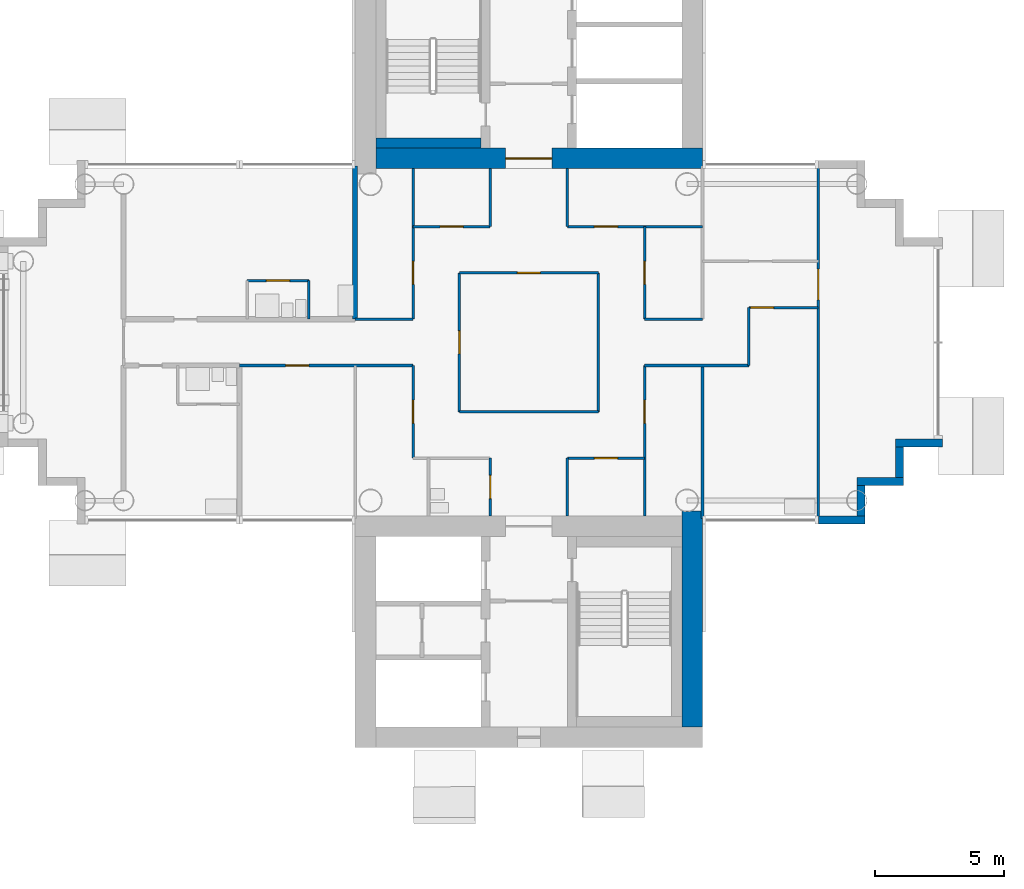
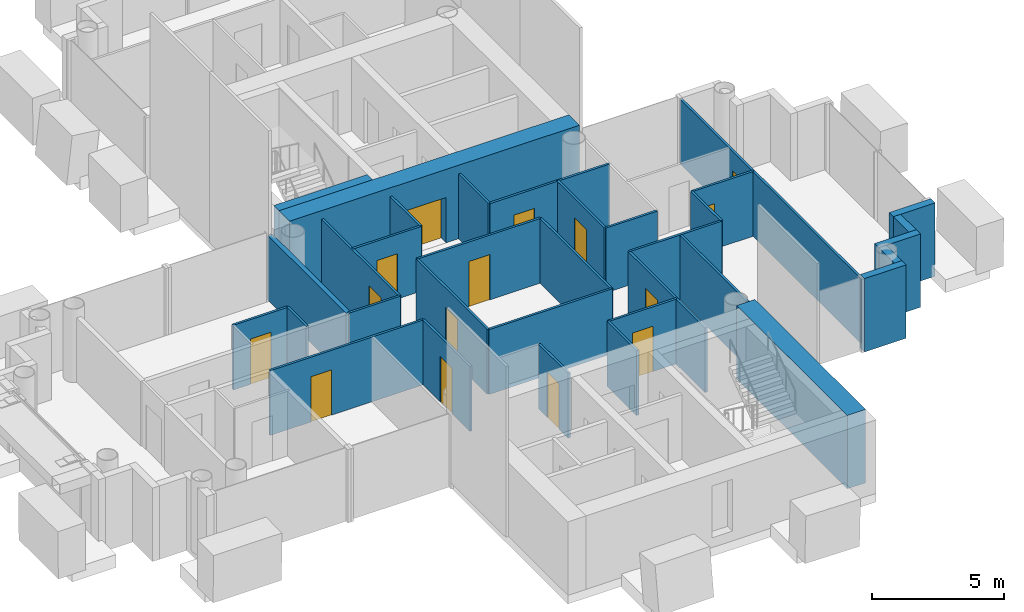
# One storey, part 10 of 18: 34 walls, 15 doors, 15 openings.
"""IFC4 building model written with IfcOpenShell, lengths in metres."""

from ifc_helpers import new_model, si_unit, direction, frame, frame_2d, origin, place, context, subcontext, project, spatial, rectangle, extrude, material, layer, layer_set, type_object, element, fill, save


model = new_model("IFC4")

# Units and contexts
model_context = context("Model", 3, precision=1e-05, world=origin(), true_north=direction((0.0, 1.0)))
body_context = subcontext(model_context, "Body", "Model", "MODEL_VIEW")
ifc_project = project(units=[si_unit("LENGTHUNIT", "METRE"), si_unit("AREAUNIT", "SQUARE_METRE"), si_unit("VOLUMEUNIT", "CUBIC_METRE"), si_unit("PLANEANGLEUNIT", "RADIAN"), si_unit("MASSUNIT", "GRAM", prefix="KILO")], contexts=[model_context])

# Site, building, storey
site_placement = place(None, origin())
site = spatial("IfcSite", under=ifc_project, at=site_placement, CompositionType="ELEMENT")
building_placement = place(site_placement, origin())
building = spatial("IfcBuilding", under=site, at=building_placement, Name="Ipe Terrace Towers", CompositionType="ELEMENT")
storey_placement = place(building_placement, frame((0.0, 0.0, 177.89990234375)))
storey = spatial("IfcBuildingStorey", under=building, at=storey_placement, Name="L49", CompositionType="ELEMENT", Elevation=177.89990234375)

# Walls
ifc_material_1 = material(Name="Concrete C40/50 with buff precast cladding", Category="concrete")
ifc_layer_1 = layer(ifc_material_1, 0.320068359375)
ifc_layer_set_1 = layer_set([ifc_layer_1], Name="BUFF CLADDING WALL 320")
wall_type_1 = type_object("IfcWallType", Name="BUFF CLADDING WALL 320", PredefinedType="STANDARD", material=ifc_layer_set_1)
wall_1_placement = place(storey_placement, frame((47.25, -6.909912109375, -0.2998046875), z_axis=(0.0, 0.0, 1.0), x_axis=(1.0, 0.0, 0.0)))
element("IfcWall", 1, at=wall_1_placement, inside=storey, type_object=wall_type_1, Name="T2-W-L49-03a wall", PredefinedType="STANDARD", context=body_context, shape_type="SweptSolid", body=[
    extrude(rectangle(XDim=1.820068359375, YDim=0.320068359375, at=frame_2d((0.91015625, 0.0))), origin(), (0.0, 0.0, 1.0), 3.39990234375),
])
wall_2_placement = place(storey_placement, frame((48.909912109375, -6.75, -0.2998046875), z_axis=(0.0, 0.0, 1.0), x_axis=(0.0, 1.0, 0.0)))
element("IfcWall", 2, at=wall_2_placement, inside=storey, type_object=wall_type_1, Name="T2-W-L49-04a wall", PredefinedType="STANDARD", context=body_context, shape_type="SweptSolid", body=[
    extrude(rectangle(XDim=1.179931640625, YDim=0.320068359375, at=frame_2d((0.58984375, 0.0))), origin(), (0.0, 0.0, 1.0), 3.39990234375),
])
wall_3_placement = place(storey_placement, frame((48.75, -5.409912109375, -0.2998046875), z_axis=(0.0, 0.0, 1.0), x_axis=(1.0, 0.0, 0.0)))
element("IfcWall", 3, at=wall_3_placement, inside=storey, type_object=wall_type_1, Name="T2-W-L49-05a wall", PredefinedType="STANDARD", context=body_context, shape_type="SweptSolid", body=[
    extrude(rectangle(XDim=1.820068359375, YDim=0.320068359375, at=frame_2d((0.91015625, 0.0))), origin(), (0.0, 0.0, 1.0), 3.39990234375),
])
wall_4_placement = place(storey_placement, frame((50.409912109375, -5.25, -0.2998046875), z_axis=(0.0, 0.0, 1.0), x_axis=(0.0, 1.0, 0.0)))
element("IfcWall", 4, at=wall_4_placement, inside=storey, type_object=wall_type_1, Name="T2-W-L49-06a wall", PredefinedType="STANDARD", context=body_context, shape_type="SweptSolid", body=[
    extrude(rectangle(XDim=1.179931640625, YDim=0.320068359375, at=frame_2d((0.58984375, 0.0))), origin(), (0.0, 0.0, 1.0), 3.39990234375),
])
wall_5_placement = place(storey_placement, frame((50.25, -3.909912109375, -0.2998046875), z_axis=(0.0, 0.0, 1.0), x_axis=(1.0, 0.0, 0.0)))
element("IfcWall", 5, at=wall_5_placement, inside=storey, type_object=wall_type_1, Name="T2-W-L49-07a wall", PredefinedType="STANDARD", context=body_context, shape_type="SweptSolid", body=[
    extrude(rectangle(XDim=1.820068359375, YDim=0.320068359375, at=frame_2d((0.91015625, 0.0))), origin(), (0.0, 0.0, 1.0), 3.39990234375),
])

# Wall, opening, door
ifc_material_2 = material(Name="Gypsum board partition", Category="plasterboard")
ifc_layer_2 = layer(ifc_material_2, 0.10009765625)
ifc_layer_set_2 = layer_set([ifc_layer_2], Name="Gypsum board partition 100 mm")
wall_type_2 = type_object("IfcWallType", Name="Gypsum board partition 100 mm", PredefinedType="PARTITIONING", material=ifc_layer_set_2)
wall_6_placement = place(storey_placement, frame((40.5, -4.5, 0.0), z_axis=(0.0, 0.0, 1.0), x_axis=(-1.0, 0.0, 0.0)))
wall_6 = element("IfcWall", 6, at=wall_6_placement, inside=storey, type_object=wall_type_2, Name="Gypsum board partition T2 L49 W01", PredefinedType="PARTITIONING", context=body_context, shape_type="SweptSolid", body=[
    extrude(rectangle(XDim=3.0, YDim=0.10009765625, at=frame_2d((1.5, 0.0))), origin(), (0.0, 0.0, 1.0), 3.0),
])
opening_1_placement = place(wall_6_placement, frame((1.050048828125, 0.0, 0.0)))
opening_1 = element("IfcOpeningElement", 7, at=opening_1_placement, cuts=wall_6, Name="Opening T2-Z3E-08", PredefinedType="OPENING", context=body_context, shape_type="SweptSolid", body=[
    extrude(rectangle(XDim=0.89990234375, YDim=2.10009765625, at=frame_2d((0.449951171875, 1.050048828125))), frame((0.0, 0.06005859375, 0.0), z_axis=(0.0, -1.0, 0.0), x_axis=(1.0, 0.0, 0.0)), (0.0, 0.0, 1.0), 0.1201171875),
])
ifc_material_3 = material(Name="Timber door leaf", Category="wood")
door_type_1 = type_object("IfcDoorType", Name="Lounge door 900 x 2100", OperationType="NOTDEFINED", PredefinedType="DOOR", material=ifc_material_3)
door_1_placement = place(opening_1_placement, origin())
door_1 = element("IfcDoor", 8, at=door_1_placement, inside=storey, type_object=door_type_1, Name="Lounge door T2-Z3E-08", OperationType="SINGLE_SWING_LEFT", OverallHeight=2.10009765625, OverallWidth=0.89990234375, PredefinedType="DOOR", context=body_context, shape_type="SweptSolid", body=[
    extrude(rectangle(XDim=0.89990234375, YDim=2.10009765625, at=frame_2d((0.449951171875, 1.050048828125))), frame((0.0, 0.02490234375, 0.0), z_axis=(0.0, -1.0, 0.0), x_axis=(1.0, 0.0, 0.0)), (0.0, 0.0, 1.0), 0.050048828125),
])
fill(opening_1, door_1)

# Walls
wall_7_placement = place(storey_placement, frame((38.699951171875, -2.699951171875, 0.0), z_axis=(0.0, 0.0, 1.0), x_axis=(-1.0, 0.0, 0.0)))
element("IfcWall", 9, at=wall_7_placement, inside=storey, type_object=wall_type_2, Name="Gypsum board partition T2 L49 W03", PredefinedType="PARTITIONING", context=body_context, shape_type="SweptSolid", body=[
    extrude(rectangle(XDim=5.39990234375, YDim=0.10009765625, at=frame_2d((2.699951171875, 0.0))), origin(), (0.0, 0.0, 1.0), 3.0),
])
wall_8_placement = place(storey_placement, frame((44.550048828125, -0.89990234375, 0.0), z_axis=(0.0, 0.0, 1.0), x_axis=(-1.0, 0.0, 0.0)))
element("IfcWall", 10, at=wall_8_placement, inside=storey, type_object=wall_type_2, Name="Gypsum board partition T2 L49 W05", PredefinedType="PARTITIONING", context=body_context, shape_type="SweptSolid", body=[
    extrude(rectangle(XDim=4.050048828125, YDim=0.10009765625, at=frame_2d((2.02490234375, 0.0))), origin(), (0.0, 0.0, 1.0), 3.0),
])

# Wall, opening, door
wall_9_placement = place(storey_placement, frame((31.5, -0.89990234375, 0.0), z_axis=(0.0, 0.0, 1.0), x_axis=(-1.0, 0.0, 0.0)))
wall_9 = element("IfcWall", 11, at=wall_9_placement, inside=storey, type_object=wall_type_2, Name="Gypsum board partition T2 L49 W06", PredefinedType="PARTITIONING", context=body_context, shape_type="SweptSolid", body=[
    extrude(rectangle(XDim=6.75, YDim=0.10009765625, at=frame_2d((3.375, 0.0))), origin(), (0.0, 0.0, 1.0), 3.0),
])
opening_2_placement = place(wall_9_placement, frame((4.050048828125, 0.0, 0.0)))
opening_2 = element("IfcOpeningElement", 12, at=opening_2_placement, cuts=wall_9, Name="Opening T2-Z3E-11", PredefinedType="OPENING", context=body_context, shape_type="SweptSolid", body=[
    extrude(rectangle(XDim=0.89990234375, YDim=2.10009765625, at=frame_2d((0.449951171875, 1.050048828125))), frame((0.0, 0.06005859375, 0.0), z_axis=(0.0, -1.0, 0.0), x_axis=(1.0, 0.0, 0.0)), (0.0, 0.0, 1.0), 0.1201171875),
])
door_2_placement = place(opening_2_placement, origin())
door_2 = element("IfcDoor", 13, at=door_2_placement, inside=storey, type_object=door_type_1, Name="Lounge door T2-Z3E-11", OperationType="SINGLE_SWING_LEFT", OverallHeight=2.10009765625, OverallWidth=0.89990234375, PredefinedType="DOOR", context=body_context, shape_type="SweptSolid", body=[
    extrude(rectangle(XDim=0.89990234375, YDim=2.10009765625, at=frame_2d((0.449951171875, 1.050048828125))), frame((0.0, 0.02490234375, 0.0), z_axis=(0.0, -1.0, 0.0), x_axis=(1.0, 0.0, 0.0)), (0.0, 0.0, 1.0), 0.050048828125),
])
fill(opening_2, door_2)

# Walls
for number, where, z_axis, x_axis, name in (
    (14, (42.75, 0.89990234375, 0.0), (0.0, 0.0, 1.0), (-1.0, 0.0, 0.0), "Gypsum board partition T2 L49 W08"),
    (15, (31.5, 0.89990234375, 0.0), (0.0, 0.0, 1.0), (-1.0, 0.0, 0.0), "Gypsum board partition T2 L49 W09"),
):
    element("IfcWall", number, at=place(storey_placement, frame(where, z_axis=z_axis, x_axis=x_axis)), inside=storey, type_object=wall_type_2, Name=name, PredefinedType="PARTITIONING", context=body_context, shape_type="SweptSolid", body=[
        extrude(rectangle(XDim=2.25, YDim=0.10009765625, at=frame_2d((1.125, 0.0))), origin(), (0.0, 0.0, 1.0), 3.0),
    ])

# Wall, opening, door
wall_10_placement = place(storey_placement, frame((47.25, 1.35009765625, 0.0), z_axis=(0.0, 0.0, 1.0), x_axis=(-1.0, 0.0, 0.0)))
wall_10 = element("IfcWall", 16, at=wall_10_placement, inside=storey, type_object=wall_type_2, Name="Gypsum board partition T2 L49 W11", PredefinedType="PARTITIONING", context=body_context, shape_type="SweptSolid", body=[
    extrude(rectangle(XDim=2.699951171875, YDim=0.10009765625, at=frame_2d((1.35009765625, 0.0))), origin(), (0.0, 0.0, 1.0), 3.0),
])
opening_3_placement = place(wall_10_placement, frame((1.72998046875, 0.0, 0.0)))
opening_3 = element("IfcOpeningElement", 17, at=opening_3_placement, cuts=wall_10, Name="Opening T2-Z3E-18", PredefinedType="OPENING", context=body_context, shape_type="SweptSolid", body=[
    extrude(rectangle(XDim=0.89990234375, YDim=2.10009765625, at=frame_2d((0.449951171875, 1.050048828125))), frame((0.0, 0.06005859375, 0.0), z_axis=(0.0, -1.0, 0.0), x_axis=(1.0, 0.0, 0.0)), (0.0, 0.0, 1.0), 0.1201171875),
])
door_3_placement = place(opening_3_placement, origin())
door_3 = element("IfcDoor", 18, at=door_3_placement, inside=storey, type_object=door_type_1, Name="Lounge door T2-Z3E-18", OperationType="SINGLE_SWING_LEFT", OverallHeight=2.10009765625, OverallWidth=0.89990234375, PredefinedType="DOOR", context=body_context, shape_type="SweptSolid", body=[
    extrude(rectangle(XDim=0.89990234375, YDim=2.10009765625, at=frame_2d((0.449951171875, 1.050048828125))), frame((0.0, 0.02490234375, 0.0), z_axis=(0.0, -1.0, 0.0), x_axis=(1.0, 0.0, 0.0)), (0.0, 0.0, 1.0), 0.050048828125),
])
fill(opening_3, door_3)

wall_11_placement = place(storey_placement, frame((27.449951171875, 2.39990234375, 0.0), z_axis=(0.0, 0.0, 1.0), x_axis=(-1.0, 0.0, 0.0)))
wall_11 = element("IfcWall", 19, at=wall_11_placement, inside=storey, type_object=wall_type_2, Name="Gypsum board partition T2 L49 W12", PredefinedType="PARTITIONING", context=body_context, shape_type="SweptSolid", body=[
    extrude(rectangle(XDim=2.39990234375, YDim=0.10009765625, at=frame_2d((1.199951171875, 0.0))), origin(), (0.0, 0.0, 1.0), 3.0),
])
opening_4_placement = place(wall_11_placement, frame((0.75, 0.0, 0.0)))
opening_4 = element("IfcOpeningElement", 20, at=opening_4_placement, cuts=wall_11, Name="Opening T2-Z3E-15", PredefinedType="OPENING", context=body_context, shape_type="SweptSolid", body=[
    extrude(rectangle(XDim=0.89990234375, YDim=2.10009765625, at=frame_2d((0.449951171875, 1.050048828125))), frame((0.0, 0.06005859375, 0.0), z_axis=(0.0, -1.0, 0.0), x_axis=(1.0, 0.0, 0.0)), (0.0, 0.0, 1.0), 0.1201171875),
])
ifc_material_4 = material(Name="Timber door leaf", Category="wood")
door_type_2 = type_object("IfcDoorType", Name="Bathroom door 900 x 2100", OperationType="NOTDEFINED", PredefinedType="DOOR", material=ifc_material_4)
door_4_placement = place(opening_4_placement, origin())
door_4 = element("IfcDoor", 21, at=door_4_placement, inside=storey, type_object=door_type_2, Name="Bathroom door T2-Z3E-15", OperationType="SINGLE_SWING_LEFT", OverallHeight=2.10009765625, OverallWidth=0.89990234375, PredefinedType="DOOR", context=body_context, shape_type="SweptSolid", body=[
    extrude(rectangle(XDim=0.89990234375, YDim=2.10009765625, at=frame_2d((0.449951171875, 1.050048828125))), frame((0.0, 0.02490234375, 0.0), z_axis=(0.0, -1.0, 0.0), x_axis=(1.0, 0.0, 0.0)), (0.0, 0.0, 1.0), 0.050048828125),
])
fill(opening_4, door_4)

wall_12_placement = place(storey_placement, frame((38.699951171875, 2.699951171875, 0.0), z_axis=(0.0, 0.0, 1.0), x_axis=(-1.0, 0.0, 0.0)))
wall_12 = element("IfcWall", 22, at=wall_12_placement, inside=storey, type_object=wall_type_2, Name="Gypsum board partition T2 L49 W13", PredefinedType="PARTITIONING", context=body_context, shape_type="SweptSolid", body=[
    extrude(rectangle(XDim=5.39990234375, YDim=0.10009765625, at=frame_2d((2.699951171875, 0.0))), origin(), (0.0, 0.0, 1.0), 3.0),
])
opening_5_placement = place(wall_12_placement, frame((2.25, 0.0, 0.0)))
opening_5 = element("IfcOpeningElement", 23, at=opening_5_placement, cuts=wall_12, Name="Opening T2-Z3E-02", PredefinedType="OPENING", context=body_context, shape_type="SweptSolid", body=[
    extrude(rectangle(XDim=0.89990234375, YDim=2.10009765625, at=frame_2d((0.449951171875, 1.050048828125))), frame((0.0, 0.06005859375, 0.0), z_axis=(0.0, -1.0, 0.0), x_axis=(1.0, 0.0, 0.0)), (0.0, 0.0, 1.0), 0.1201171875),
])
door_5_placement = place(opening_5_placement, origin())
door_5 = element("IfcDoor", 24, at=door_5_placement, inside=storey, type_object=door_type_1, Name="Lounge door T2-Z3E-02", OperationType="SINGLE_SWING_LEFT", OverallHeight=2.10009765625, OverallWidth=0.89990234375, PredefinedType="DOOR", context=body_context, shape_type="SweptSolid", body=[
    extrude(rectangle(XDim=0.89990234375, YDim=2.10009765625, at=frame_2d((0.449951171875, 1.050048828125))), frame((0.0, 0.02490234375, 0.0), z_axis=(0.0, -1.0, 0.0), x_axis=(1.0, 0.0, 0.0)), (0.0, 0.0, 1.0), 0.050048828125),
])
fill(opening_5, door_5)

wall_13_placement = place(storey_placement, frame((42.75, 4.5, 0.0), z_axis=(0.0, 0.0, 1.0), x_axis=(-1.0, 0.0, 0.0)))
wall_13 = element("IfcWall", 25, at=wall_13_placement, inside=storey, type_object=wall_type_2, Name="Gypsum board partition T2 L49 W15", PredefinedType="PARTITIONING", context=body_context, shape_type="SweptSolid", body=[
    extrude(rectangle(XDim=5.25, YDim=0.10009765625, at=frame_2d((2.625, 0.0))), origin(), (0.0, 0.0, 1.0), 3.0),
])
opening_6_placement = place(wall_13_placement, frame((3.300048828125, 0.0, 0.0)))
opening_6 = element("IfcOpeningElement", 26, at=opening_6_placement, cuts=wall_13, Name="Opening T2-Z3E-10", PredefinedType="OPENING", context=body_context, shape_type="SweptSolid", body=[
    extrude(rectangle(XDim=0.89990234375, YDim=2.10009765625, at=frame_2d((0.449951171875, 1.050048828125))), frame((0.0, 0.06005859375, 0.0), z_axis=(0.0, -1.0, 0.0), x_axis=(1.0, 0.0, 0.0)), (0.0, 0.0, 1.0), 0.1201171875),
])
door_6_placement = place(opening_6_placement, origin())
door_6 = element("IfcDoor", 27, at=door_6_placement, inside=storey, type_object=door_type_1, Name="Lounge door T2-Z3E-10", OperationType="SINGLE_SWING_RIGHT", OverallHeight=2.10009765625, OverallWidth=0.89990234375, PredefinedType="DOOR", context=body_context, shape_type="SweptSolid", body=[
    extrude(rectangle(XDim=0.89990234375, YDim=2.10009765625, at=frame_2d((0.449951171875, 1.050048828125))), frame((0.0, 0.02490234375, 0.0), z_axis=(0.0, -1.0, 0.0), x_axis=(1.0, 0.0, 0.0)), (0.0, 0.0, 1.0), 0.050048828125),
])
fill(opening_6, door_6)

wall_14_placement = place(storey_placement, frame((34.5, 4.5, 0.0), z_axis=(0.0, 0.0, 1.0), x_axis=(-1.0, 0.0, 0.0)))
wall_14 = element("IfcWall", 28, at=wall_14_placement, inside=storey, type_object=wall_type_2, Name="Gypsum board partition T2 L49 W16", PredefinedType="PARTITIONING", context=body_context, shape_type="SweptSolid", body=[
    extrude(rectangle(XDim=3.0, YDim=0.10009765625, at=frame_2d((1.5, 0.0))), origin(), (0.0, 0.0, 1.0), 3.0),
])
opening_7_placement = place(wall_14_placement, frame((1.050048828125, 0.0, 0.0)))
opening_7 = element("IfcOpeningElement", 29, at=opening_7_placement, cuts=wall_14, Name="Opening T2-Z3E-05", PredefinedType="OPENING", context=body_context, shape_type="SweptSolid", body=[
    extrude(rectangle(XDim=0.89990234375, YDim=2.10009765625, at=frame_2d((0.449951171875, 1.050048828125))), frame((0.0, 0.06005859375, 0.0), z_axis=(0.0, -1.0, 0.0), x_axis=(1.0, 0.0, 0.0)), (0.0, 0.0, 1.0), 0.1201171875),
])
door_7_placement = place(opening_7_placement, origin())
door_7 = element("IfcDoor", 30, at=door_7_placement, inside=storey, type_object=door_type_1, Name="Lounge door T2-Z3E-05", OperationType="SINGLE_SWING_RIGHT", OverallHeight=2.10009765625, OverallWidth=0.89990234375, PredefinedType="DOOR", context=body_context, shape_type="SweptSolid", body=[
    extrude(rectangle(XDim=0.89990234375, YDim=2.10009765625, at=frame_2d((0.449951171875, 1.050048828125))), frame((0.0, 0.02490234375, 0.0), z_axis=(0.0, -1.0, 0.0), x_axis=(1.0, 0.0, 0.0)), (0.0, 0.0, 1.0), 0.050048828125),
])
fill(opening_7, door_7)

wall_15_placement = place(storey_placement, frame((47.25, -6.85009765625, 0.0), z_axis=(0.0, 0.0, 1.0), x_axis=(0.0, 1.0, 0.0)))
wall_15 = element("IfcWall", 31, at=wall_15_placement, inside=storey, type_object=wall_type_2, Name="Gypsum board partition T2 L49 W20", PredefinedType="PARTITIONING", context=body_context, shape_type="SweptSolid", body=[
    extrude(rectangle(XDim=13.7001953125, YDim=0.10009765625, at=frame_2d((6.85009765625, 0.0))), origin(), (0.0, 0.0, 1.0), 3.0),
])
opening_8_placement = place(wall_15_placement, frame((8.5, 0.0, 0.0)))
opening_8 = element("IfcOpeningElement", 32, at=opening_8_placement, cuts=wall_15, Name="Opening T2-Z3E-19", PredefinedType="OPENING", context=body_context, shape_type="SweptSolid", body=[
    extrude(rectangle(XDim=1.199951171875, YDim=2.10009765625, at=frame_2d((0.60009765625, 1.050048828125))), frame((0.0, 0.06005859375, 0.0), z_axis=(0.0, -1.0, 0.0), x_axis=(1.0, 0.0, 0.0)), (0.0, 0.0, 1.0), 0.1201171875),
])
ifc_material_5 = material(Name="Timber door leaf", Category="wood")
door_type_3 = type_object("IfcDoorType", Name="Lounge door 1200 x 2100", OperationType="NOTDEFINED", PredefinedType="DOOR", material=ifc_material_5)
door_8_placement = place(opening_8_placement, origin())
door_8 = element("IfcDoor", 33, at=door_8_placement, inside=storey, type_object=door_type_3, Name="Lounge door T2-Z3E-19", OperationType="SINGLE_SWING_RIGHT", OverallHeight=2.10009765625, OverallWidth=1.199951171875, PredefinedType="DOOR", context=body_context, shape_type="SweptSolid", body=[
    extrude(rectangle(XDim=1.199951171875, YDim=2.10009765625, at=frame_2d((0.60009765625, 1.050048828125))), frame((0.0, 0.02490234375, 0.0), z_axis=(0.0, -1.0, 0.0), x_axis=(1.0, 0.0, 0.0)), (0.0, 0.0, 1.0), 0.050048828125),
])
fill(opening_8, door_8)

# Walls
wall_16_placement = place(storey_placement, frame((44.550048828125, -0.89990234375, 0.0), z_axis=(0.0, 0.0, 1.0), x_axis=(0.0, 1.0, 0.0)))
element("IfcWall", 34, at=wall_16_placement, inside=storey, type_object=wall_type_2, Name="Gypsum board partition T2 L49 W21", PredefinedType="PARTITIONING", context=body_context, shape_type="SweptSolid", body=[
    extrude(rectangle(XDim=2.25, YDim=0.10009765625, at=frame_2d((1.125, 0.0))), origin(), (0.0, 0.0, 1.0), 3.0),
])
wall_17_placement = place(storey_placement, frame((42.75, -6.85009765625, 0.0), z_axis=(0.0, 0.0, 1.0), x_axis=(0.0, 1.0, 0.0)))
element("IfcWall", 35, at=wall_17_placement, inside=storey, type_object=wall_type_2, Name="Gypsum board partition T2 L49 W22", PredefinedType="PARTITIONING", context=body_context, shape_type="SweptSolid", body=[
    extrude(rectangle(XDim=5.9501953125, YDim=0.10009765625, at=frame_2d((2.97509765625, 0.0))), origin(), (0.0, 0.0, 1.0), 3.0),
])

# Wall, opening, door
wall_18_placement = place(storey_placement, frame((40.5, -6.75, 0.0), z_axis=(0.0, 0.0, 1.0), x_axis=(0.0, 1.0, 0.0)))
wall_18 = element("IfcWall", 36, at=wall_18_placement, inside=storey, type_object=wall_type_2, Name="Gypsum board partition T2 L49 W24", PredefinedType="PARTITIONING", context=body_context, shape_type="SweptSolid", body=[
    extrude(rectangle(XDim=5.85009765625, YDim=0.10009765625, at=frame_2d((2.925048828125, 0.0))), origin(), (0.0, 0.0, 1.0), 3.0),
])
opening_9_placement = place(wall_18_placement, frame((3.60009765625, 0.0, 0.0)))
opening_9 = element("IfcOpeningElement", 37, at=opening_9_placement, cuts=wall_18, Name="Opening T2-Z3E-07", PredefinedType="OPENING", context=body_context, shape_type="SweptSolid", body=[
    extrude(rectangle(XDim=0.89990234375, YDim=2.10009765625, at=frame_2d((0.449951171875, 1.050048828125))), frame((0.0, 0.06005859375, 0.0), z_axis=(0.0, -1.0, 0.0), x_axis=(1.0, 0.0, 0.0)), (0.0, 0.0, 1.0), 0.1201171875),
])
door_9_placement = place(opening_9_placement, origin())
door_9 = element("IfcDoor", 38, at=door_9_placement, inside=storey, type_object=door_type_1, Name="Lounge door T2-Z3E-07", OperationType="SINGLE_SWING_RIGHT", OverallHeight=2.10009765625, OverallWidth=0.89990234375, PredefinedType="DOOR", context=body_context, shape_type="SweptSolid", body=[
    extrude(rectangle(XDim=0.89990234375, YDim=2.10009765625, at=frame_2d((0.449951171875, 1.050048828125))), frame((0.0, 0.02490234375, 0.0), z_axis=(0.0, -1.0, 0.0), x_axis=(1.0, 0.0, 0.0)), (0.0, 0.0, 1.0), 0.050048828125),
])
fill(opening_9, door_9)

wall_19_placement = place(storey_placement, frame((40.5, 0.89990234375, 0.0), z_axis=(0.0, 0.0, 1.0), x_axis=(0.0, 1.0, 0.0)))
wall_19 = element("IfcWall", 39, at=wall_19_placement, inside=storey, type_object=wall_type_2, Name="Gypsum board partition T2 L49 W25", PredefinedType="PARTITIONING", context=body_context, shape_type="SweptSolid", body=[
    extrude(rectangle(XDim=3.60009765625, YDim=0.10009765625, at=frame_2d((1.800048828125, 0.0))), origin(), (0.0, 0.0, 1.0), 3.0),
])
opening_10_placement = place(wall_19_placement, frame((1.35009765625, 0.0, 0.0)))
opening_10 = element("IfcOpeningElement", 40, at=opening_10_placement, cuts=wall_19, Name="Opening T2-Z3E-09", PredefinedType="OPENING", context=body_context, shape_type="SweptSolid", body=[
    extrude(rectangle(XDim=0.89990234375, YDim=2.10009765625, at=frame_2d((0.449951171875, 1.050048828125))), frame((0.0, 0.06005859375, 0.0), z_axis=(0.0, -1.0, 0.0), x_axis=(1.0, 0.0, 0.0)), (0.0, 0.0, 1.0), 0.1201171875),
])
door_10_placement = place(opening_10_placement, origin())
door_10 = element("IfcDoor", 41, at=door_10_placement, inside=storey, type_object=door_type_1, Name="Lounge door T2-Z3E-09", OperationType="SINGLE_SWING_RIGHT", OverallHeight=2.10009765625, OverallWidth=0.89990234375, PredefinedType="DOOR", context=body_context, shape_type="SweptSolid", body=[
    extrude(rectangle(XDim=0.89990234375, YDim=2.10009765625, at=frame_2d((0.449951171875, 1.050048828125))), frame((0.0, 0.02490234375, 0.0), z_axis=(0.0, -1.0, 0.0), x_axis=(1.0, 0.0, 0.0)), (0.0, 0.0, 1.0), 0.050048828125),
])
fill(opening_10, door_10)

# Walls
wall_20_placement = place(storey_placement, frame((38.699951171875, -2.699951171875, 0.0), z_axis=(0.0, 0.0, 1.0), x_axis=(0.0, 1.0, 0.0)))
element("IfcWall", 42, at=wall_20_placement, inside=storey, type_object=wall_type_2, Name="Gypsum board partition T2 L49 W27", PredefinedType="PARTITIONING", context=body_context, shape_type="SweptSolid", body=[
    extrude(rectangle(XDim=5.39990234375, YDim=0.10009765625, at=frame_2d((2.699951171875, 0.0))), origin(), (0.0, 0.0, 1.0), 3.0),
])
for number, where, z_axis, x_axis, name in (
    (43, (37.5, -6.75, 0.0), (0.0, 0.0, 1.0), (0.0, 1.0, 0.0), "Gypsum board partition T2 L49 W28"),
    (44, (37.5, 4.5, 0.0), (0.0, 0.0, 1.0), (0.0, 1.0, 0.0), "Gypsum board partition T2 L49 W29"),
):
    element("IfcWall", number, at=place(storey_placement, frame(where, z_axis=z_axis, x_axis=x_axis)), inside=storey, type_object=wall_type_2, Name=name, PredefinedType="PARTITIONING", context=body_context, shape_type="SweptSolid", body=[
        extrude(rectangle(XDim=2.25, YDim=0.10009765625, at=frame_2d((1.125, 0.0))), origin(), (0.0, 0.0, 1.0), 3.0),
    ])

# Wall, opening, door
wall_21_placement = place(storey_placement, frame((34.5, -6.75, 0.0), z_axis=(0.0, 0.0, 1.0), x_axis=(0.0, 1.0, 0.0)))
wall_21 = element("IfcWall", 45, at=wall_21_placement, inside=storey, type_object=wall_type_2, Name="Gypsum board partition T2 L49 W31", PredefinedType="PARTITIONING", context=body_context, shape_type="SweptSolid", body=[
    extrude(rectangle(XDim=2.25, YDim=0.10009765625, at=frame_2d((1.125, 0.0))), origin(), (0.0, 0.0, 1.0), 3.0),
])
opening_11_placement = place(wall_21_placement, frame((0.675048828125, 0.0, 0.0)))
opening_11 = element("IfcOpeningElement", 46, at=opening_11_placement, cuts=wall_21, Name="Opening T2-Z3E-03", PredefinedType="OPENING", context=body_context, shape_type="SweptSolid", body=[
    extrude(rectangle(XDim=0.89990234375, YDim=2.10009765625, at=frame_2d((0.449951171875, 1.050048828125))), frame((0.0, 0.06005859375, 0.0), z_axis=(0.0, -1.0, 0.0), x_axis=(1.0, 0.0, 0.0)), (0.0, 0.0, 1.0), 0.1201171875),
])
door_11_placement = place(opening_11_placement, origin())
door_11 = element("IfcDoor", 47, at=door_11_placement, inside=storey, type_object=door_type_2, Name="Bathroom door T2-Z3E-03", OperationType="SINGLE_SWING_LEFT", OverallHeight=2.10009765625, OverallWidth=0.89990234375, PredefinedType="DOOR", context=body_context, shape_type="SweptSolid", body=[
    extrude(rectangle(XDim=0.89990234375, YDim=2.10009765625, at=frame_2d((0.449951171875, 1.050048828125))), frame((0.0, 0.02490234375, 0.0), z_axis=(0.0, -1.0, 0.0), x_axis=(1.0, 0.0, 0.0)), (0.0, 0.0, 1.0), 0.050048828125),
])
fill(opening_11, door_11)

# Wall
wall_22_placement = place(storey_placement, frame((34.5, 4.5, 0.0), z_axis=(0.0, 0.0, 1.0), x_axis=(0.0, 1.0, 0.0)))
element("IfcWall", 48, at=wall_22_placement, inside=storey, type_object=wall_type_2, Name="Gypsum board partition T2 L49 W32", PredefinedType="PARTITIONING", context=body_context, shape_type="SweptSolid", body=[
    extrude(rectangle(XDim=2.25, YDim=0.10009765625, at=frame_2d((1.125, 0.0))), origin(), (0.0, 0.0, 1.0), 3.0),
])

# Wall, opening, door
wall_23_placement = place(storey_placement, frame((33.300048828125, -2.699951171875, 0.0), z_axis=(0.0, 0.0, 1.0), x_axis=(0.0, 1.0, 0.0)))
wall_23 = element("IfcWall", 49, at=wall_23_placement, inside=storey, type_object=wall_type_2, Name="Gypsum board partition T2 L49 W34", PredefinedType="PARTITIONING", context=body_context, shape_type="SweptSolid", body=[
    extrude(rectangle(XDim=5.39990234375, YDim=0.10009765625, at=frame_2d((2.699951171875, 0.0))), origin(), (0.0, 0.0, 1.0), 3.0),
])
opening_12_placement = place(wall_23_placement, frame((2.25, 0.0, 0.0)))
opening_12 = element("IfcOpeningElement", 50, at=opening_12_placement, cuts=wall_23, Name="Opening T2-Z3E-01", PredefinedType="OPENING", context=body_context, shape_type="SweptSolid", body=[
    extrude(rectangle(XDim=0.89990234375, YDim=2.10009765625, at=frame_2d((0.449951171875, 1.050048828125))), frame((0.0, 0.06005859375, 0.0), z_axis=(0.0, -1.0, 0.0), x_axis=(1.0, 0.0, 0.0)), (0.0, 0.0, 1.0), 0.1201171875),
])
door_12_placement = place(opening_12_placement, origin())
door_12 = element("IfcDoor", 51, at=door_12_placement, inside=storey, type_object=door_type_1, Name="Lounge door T2-Z3E-01", OperationType="SINGLE_SWING_RIGHT", OverallHeight=2.10009765625, OverallWidth=0.89990234375, PredefinedType="DOOR", context=body_context, shape_type="SweptSolid", body=[
    extrude(rectangle(XDim=0.89990234375, YDim=2.10009765625, at=frame_2d((0.449951171875, 1.050048828125))), frame((0.0, 0.02490234375, 0.0), z_axis=(0.0, -1.0, 0.0), x_axis=(1.0, 0.0, 0.0)), (0.0, 0.0, 1.0), 0.050048828125),
])
fill(opening_12, door_12)

wall_24_placement = place(storey_placement, frame((31.5, -4.5, 0.0), z_axis=(0.0, 0.0, 1.0), x_axis=(0.0, 1.0, 0.0)))
wall_24 = element("IfcWall", 52, at=wall_24_placement, inside=storey, type_object=wall_type_2, Name="Gypsum board partition T2 L49 W36", PredefinedType="PARTITIONING", context=body_context, shape_type="SweptSolid", body=[
    extrude(rectangle(XDim=3.60009765625, YDim=0.10009765625, at=frame_2d((1.800048828125, 0.0))), origin(), (0.0, 0.0, 1.0), 3.0),
])
opening_13_placement = place(wall_24_placement, frame((1.35009765625, 0.0, 0.0)))
opening_13 = element("IfcOpeningElement", 53, at=opening_13_placement, cuts=wall_24, Name="Opening T2-Z3E-06", PredefinedType="OPENING", context=body_context, shape_type="SweptSolid", body=[
    extrude(rectangle(XDim=0.89990234375, YDim=2.10009765625, at=frame_2d((0.449951171875, 1.050048828125))), frame((0.0, 0.06005859375, 0.0), z_axis=(0.0, -1.0, 0.0), x_axis=(1.0, 0.0, 0.0)), (0.0, 0.0, 1.0), 0.1201171875),
])
door_13_placement = place(opening_13_placement, origin())
door_13 = element("IfcDoor", 54, at=door_13_placement, inside=storey, type_object=door_type_1, Name="Lounge door T2-Z3E-06", OperationType="SINGLE_SWING_RIGHT", OverallHeight=2.10009765625, OverallWidth=0.89990234375, PredefinedType="DOOR", context=body_context, shape_type="SweptSolid", body=[
    extrude(rectangle(XDim=0.89990234375, YDim=2.10009765625, at=frame_2d((0.449951171875, 1.050048828125))), frame((0.0, 0.02490234375, 0.0), z_axis=(0.0, -1.0, 0.0), x_axis=(1.0, 0.0, 0.0)), (0.0, 0.0, 1.0), 0.050048828125),
])
fill(opening_13, door_13)

wall_25_placement = place(storey_placement, frame((31.5, 0.89990234375, 0.0), z_axis=(0.0, 0.0, 1.0), x_axis=(0.0, 1.0, 0.0)))
wall_25 = element("IfcWall", 55, at=wall_25_placement, inside=storey, type_object=wall_type_2, Name="Gypsum board partition T2 L49 W37", PredefinedType="PARTITIONING", context=body_context, shape_type="SweptSolid", body=[
    extrude(rectangle(XDim=5.85009765625, YDim=0.10009765625, at=frame_2d((2.925048828125, 0.0))), origin(), (0.0, 0.0, 1.0), 3.0),
])
opening_14_placement = place(wall_25_placement, frame((1.35009765625, 0.0, 0.0)))
opening_14 = element("IfcOpeningElement", 56, at=opening_14_placement, cuts=wall_25, Name="Opening T2-Z3E-04", PredefinedType="OPENING", context=body_context, shape_type="SweptSolid", body=[
    extrude(rectangle(XDim=0.89990234375, YDim=2.10009765625, at=frame_2d((0.449951171875, 1.050048828125))), frame((0.0, 0.06005859375, 0.0), z_axis=(0.0, -1.0, 0.0), x_axis=(1.0, 0.0, 0.0)), (0.0, 0.0, 1.0), 0.1201171875),
])
door_14_placement = place(opening_14_placement, origin())
door_14 = element("IfcDoor", 57, at=door_14_placement, inside=storey, type_object=door_type_1, Name="Lounge door T2-Z3E-04", OperationType="SINGLE_SWING_RIGHT", OverallHeight=2.10009765625, OverallWidth=0.89990234375, PredefinedType="DOOR", context=body_context, shape_type="SweptSolid", body=[
    extrude(rectangle(XDim=0.89990234375, YDim=2.10009765625, at=frame_2d((0.449951171875, 1.050048828125))), frame((0.0, 0.02490234375, 0.0), z_axis=(0.0, -1.0, 0.0), x_axis=(1.0, 0.0, 0.0)), (0.0, 0.0, 1.0), 0.050048828125),
])
fill(opening_14, door_14)

# Walls
wall_26_placement = place(storey_placement, frame((27.449951171875, 0.89990234375, 0.0), z_axis=(0.0, 0.0, 1.0), x_axis=(0.0, 1.0, 0.0)))
element("IfcWall", 58, at=wall_26_placement, inside=storey, type_object=wall_type_2, Name="Gypsum board partition T2 L49 W40", PredefinedType="PARTITIONING", context=body_context, shape_type="SweptSolid", body=[
    extrude(rectangle(XDim=1.5, YDim=0.10009765625, at=frame_2d((0.75, 0.0))), origin(), (0.0, 0.0, 1.0), 3.0),
])
ifc_material_6 = material(Name="Gypsum board party wall", Category="plasterboard")
ifc_layer_3 = layer(ifc_material_6, 0.199951171875)
ifc_layer_set_3 = layer_set([ifc_layer_3], Name="Gypsum board party wall 200 mm")
wall_type_3 = type_object("IfcWallType", Name="Gypsum board party wall 200 mm", PredefinedType="SOLIDWALL", material=ifc_layer_set_3)
wall_27_placement = place(storey_placement, frame((29.25, 0.89990234375, 0.0), z_axis=(0.0, 0.0, 1.0), x_axis=(0.0, 1.0, 0.0)))
element("IfcWall", 59, at=wall_27_placement, inside=storey, type_object=wall_type_3, Name="Gypsum board party wall T2 L49 W39", PredefinedType="SOLIDWALL", context=body_context, shape_type="SweptSolid", body=[
    extrude(rectangle(XDim=5.9501953125, YDim=0.199951171875, at=frame_2d((2.97509765625, 0.0))), origin(), (0.0, 0.0, 1.0), 3.0),
])
ifc_material_7 = material(Name="Concrete C50/60", Category="concrete")
ifc_layer_4 = layer(ifc_material_7, 0.39990234375)
ifc_layer_set_4 = layer_set([ifc_layer_4], Name="RW400 CORE INFILL WALL 400 C50-60")
wall_type_4 = type_object("IfcWallType", Name="RW400 CORE INFILL WALL 400 C50-60", PredefinedType="SHEAR", material=ifc_layer_set_4)
wall_28_placement = place(storey_placement, frame((34.14990234375, 7.75, 0.0), z_axis=(0.0, 0.0, 1.0), x_axis=(-1.0, 0.0, 0.0)))
element("IfcWall", 60, at=wall_28_placement, inside=storey, type_object=wall_type_4, Name="Core infill wall T2-C1-near", PredefinedType="SHEAR", context=body_context, shape_type="SweptSolid", body=[
    extrude(rectangle(XDim=4.099853515625, YDim=0.39990234375, at=frame_2d((2.0498046875, 0.0))), origin(), (0.0, 0.0, 1.0), 3.400146484375),
])

# Wall, opening, door
ifc_material_8 = material(Name="Concrete C50/60", Category="concrete")
ifc_layer_5 = layer(ifc_material_8, 0.800048828125)
ifc_layer_set_5 = layer_set([ifc_layer_5], Name="RW800 CORE WALL 800 C50-60")
wall_type_5 = type_object("IfcWallType", Name="RW800 CORE WALL 800 C50-60", PredefinedType="SHEAR", material=ifc_layer_set_5)
wall_29_placement = place(storey_placement, frame((30.050048828125, 7.14990234375, 0.0), z_axis=(0.0, 0.0, 1.0), x_axis=(1.0, 0.0, 0.0)))
wall_29 = element("IfcWall", 61, at=wall_29_placement, inside=storey, type_object=wall_type_5, Name="Core wall T2-C1-Z3-W01", PredefinedType="SHEAR", context=body_context, shape_type="SweptSolid", body=[
    extrude(rectangle(XDim=12.699951171875, YDim=0.800048828125, at=frame_2d((6.35009765625, 0.0))), origin(), (0.0, 0.0, 1.0), 3.400146484375),
])
opening_15_placement = place(wall_29_placement, frame((5.050048828125, 0.0, 0.0)))
opening_15 = element("IfcOpeningElement", 62, at=opening_15_placement, cuts=wall_29, Name="Opening T2C1-ND", PredefinedType="OPENING", context=body_context, shape_type="SweptSolid", body=[
    extrude(rectangle(XDim=1.800048828125, YDim=2.10009765625, at=frame_2d((0.89990234375, 1.050048828125))), frame((0.0, 0.41015625, 0.0), z_axis=(0.0, -1.0, 0.0), x_axis=(1.0, 0.0, 0.0)), (0.0, 0.0, 1.0), 0.820068359375),
])
ifc_material_9 = material(Name="Fire-rated timber door leaf", Category="wood")
door_type_4 = type_object("IfcDoorType", Name="Fire door 1800 x 2100 FD30S", OperationType="NOTDEFINED", PredefinedType="DOOR", material=ifc_material_9)
door_15_placement = place(opening_15_placement, origin())
door_15 = element("IfcDoor", 63, at=door_15_placement, inside=storey, type_object=door_type_4, Name="Fire door T2C1-ND", OperationType="SINGLE_SWING_LEFT", OverallHeight=2.10009765625, OverallWidth=1.800048828125, PredefinedType="DOOR", context=body_context, shape_type="SweptSolid", body=[
    extrude(rectangle(XDim=1.800048828125, YDim=2.10009765625, at=frame_2d((0.89990234375, 1.050048828125))), frame((0.0, 0.02490234375, 0.0), z_axis=(0.0, -1.0, 0.0), x_axis=(1.0, 0.0, 0.0)), (0.0, 0.0, 1.0), 0.050048828125),
])
fill(opening_15, door_15)

# Wall
wall_30_placement = place(storey_placement, frame((42.35009765625, -14.949951171875, 0.0), z_axis=(0.0, 0.0, 1.0), x_axis=(0.0, 1.0, 0.0)))
element("IfcWall", 64, at=wall_30_placement, inside=storey, type_object=wall_type_5, Name="Core wall T2-C2-Z3-W02", PredefinedType="SHEAR", context=body_context, shape_type="SweptSolid", body=[
    extrude(rectangle(XDim=8.39794921875, YDim=0.800048828125, at=frame_2d((4.198974609375, 0.0))), origin(), (0.0, 0.0, 1.0), 3.400146484375),
])

save(model, "model.ifc")
